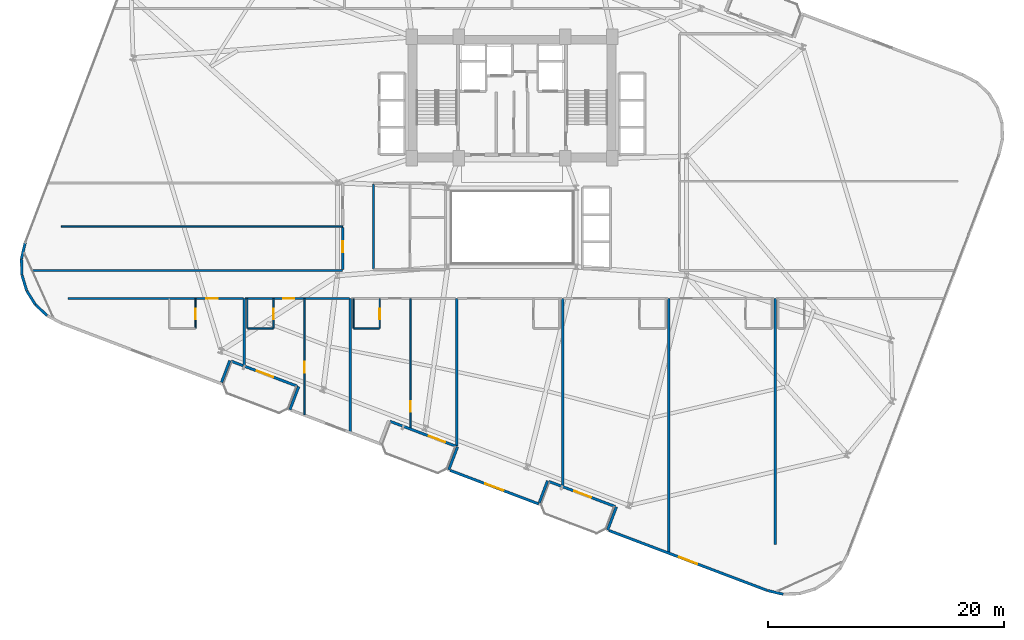
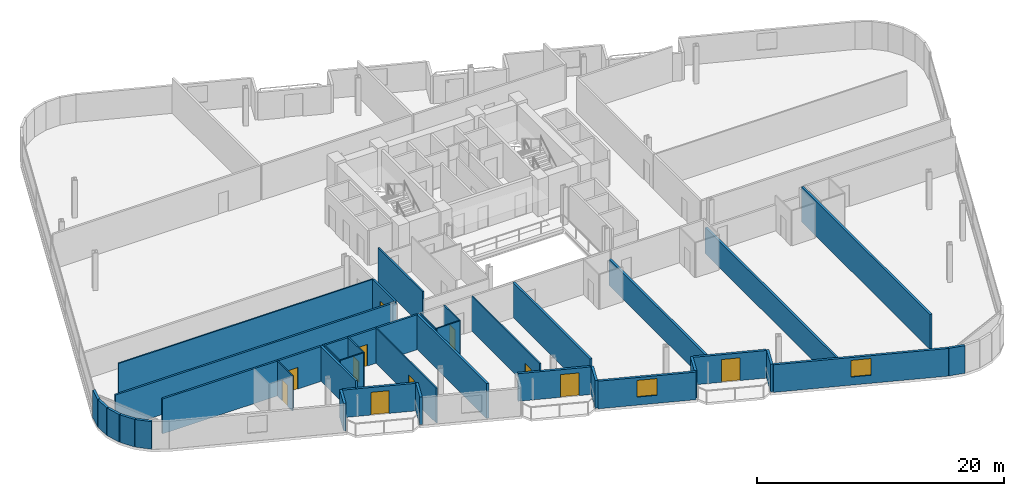
# One storey, part 18 of 25: 37 walls, 11 doors, 2 windows, 13 openings.
"""IFC4 building model written with IfcOpenShell, lengths in metres."""

from ifc_helpers import new_model, si_unit, direction, frame, frame_2d, origin, place, context, subcontext, project, spatial, rectangle, extrude, material, layer, layer_set, type_object, element, fill, save


model = new_model("IFC4")

# Units and contexts
model_context = context("Model", 3, precision=1e-05, world=origin(), true_north=direction((0.0, 1.0)))
body_context = subcontext(model_context, "Body", "Model", "MODEL_VIEW")
ifc_project = project(units=[si_unit("LENGTHUNIT", "METRE"), si_unit("AREAUNIT", "SQUARE_METRE"), si_unit("VOLUMEUNIT", "CUBIC_METRE"), si_unit("PLANEANGLEUNIT", "RADIAN"), si_unit("MASSUNIT", "GRAM", prefix="KILO")], contexts=[model_context])

# Site, building, storey
site_placement = place(None, origin())
site = spatial("IfcSite", under=ifc_project, at=site_placement, CompositionType="ELEMENT")
building_placement = place(site_placement, origin())
building = spatial("IfcBuilding", under=site, at=building_placement, Name="Varnelok Gate Tower", CompositionType="ELEMENT")
storey_placement = place(building_placement, frame((0.0, 0.0, 76.199951171875)))
storey = spatial("IfcBuildingStorey", under=building, at=storey_placement, Name="L18", CompositionType="ELEMENT", Elevation=76.199951171875)

# Wall, opening, door
ifc_material_1 = material(Name="Concrete C45/55", Category="concrete")
ifc_layer_1 = layer(ifc_material_1, 0.219970703125)
ifc_layer_set_1 = layer_set([ifc_layer_1], Name="Concrete C45/55")
wall_type_1 = type_object("IfcWallType", Name="EW-BALC-220", PredefinedType="SOLIDWALL", material=ifc_layer_set_1)
wall_1_placement = place(storey_placement, frame((21.00048828125, 9.42529296875, 0.0), z_axis=(0.0, 0.0, 1.0), x_axis=(-0.93521416643, 0.354082565101, 0.0)))
wall_1 = element("IfcWall", 1, at=wall_1_placement, inside=storey, type_object=wall_type_1, Name="L18 South Terrace Envelope Wall 1", PredefinedType="SOLIDWALL", context=body_context, shape_type="SweptSolid", body=[
    extrude(rectangle(XDim=6.0, YDim=0.219970703125, at=frame_2d((3.0, 0.0))), origin(), (0.0, 0.0, 1.0), 2.72998046875),
])
opening_1_placement = place(wall_1_placement, frame((2.176025390625, 0.0, 0.0)))
opening_1 = element("IfcOpeningElement", 2, at=opening_1_placement, cuts=wall_1, Name="Opening BD-1", PredefinedType="OPENING", context=body_context, shape_type="SweptSolid", body=[
    extrude(rectangle(XDim=1.5, YDim=2.25, at=frame_2d((0.75, 1.125))), frame((0.0, 0.119873046875, 0.0), z_axis=(0.0, -1.0, 0.0), x_axis=(1.0, 0.0, 0.0)), (0.0, 0.0, 1.0), 0.239990234375),
])
ifc_material_2 = material(Name="Anodized Aluminum Alloy 6063-T6", Category="aluminium")
door_type_1 = type_object("IfcDoorType", Name="DR-EXT-BALC1500", OperationType="NOTDEFINED", PredefinedType="DOOR", material=ifc_material_2)
door_1_placement = place(opening_1_placement, origin())
door_1 = element("IfcDoor", 3, at=door_1_placement, inside=storey, type_object=door_type_1, Name="L18 South Balcony Glazed Door 1", OperationType="SINGLE_SWING_RIGHT", OverallHeight=2.25, OverallWidth=1.5, PredefinedType="DOOR", context=body_context, shape_type="SweptSolid", body=[
    extrude(rectangle(XDim=1.5, YDim=2.25, at=frame_2d((0.75, 1.125))), frame((0.0, 0.02490234375, 0.0), z_axis=(0.0, -1.0, 0.0), x_axis=(1.0, 0.0, 0.0)), (0.0, 0.0, 1.0), 0.050048828125),
])
fill(opening_1, door_1)

wall_2_placement = place(storey_placement, frame((34.4677734375, 4.326904296875, 0.0), z_axis=(0.0, 0.0, 1.0), x_axis=(-0.9352192676, 0.354069091436, 0.0)))
wall_2 = element("IfcWall", 4, at=wall_2_placement, inside=storey, type_object=wall_type_1, Name="L18 South Terrace Envelope Wall 2", PredefinedType="SOLIDWALL", context=body_context, shape_type="SweptSolid", body=[
    extrude(rectangle(XDim=6.000244140625, YDim=0.219970703125, at=frame_2d((3.0, 0.0))), origin(), (0.0, 0.0, 1.0), 2.72998046875),
])
opening_2_placement = place(wall_2_placement, frame((0.991943359375, 0.0, 0.0)))
opening_2 = element("IfcOpeningElement", 5, at=opening_2_placement, cuts=wall_2, Name="Opening BD-1", PredefinedType="OPENING", context=body_context, shape_type="SweptSolid", body=[
    extrude(rectangle(XDim=1.5, YDim=2.25, at=frame_2d((0.75, 1.125))), frame((0.0, 0.119873046875, 0.0), z_axis=(0.0, -1.0, 0.0), x_axis=(1.0, 0.0, 0.0)), (0.0, 0.0, 1.0), 0.239990234375),
])
door_2_placement = place(opening_2_placement, origin())
door_2 = element("IfcDoor", 6, at=door_2_placement, inside=storey, type_object=door_type_1, Name="L18 South Balcony Glazed Door 2", OperationType="SINGLE_SWING_LEFT", OverallHeight=2.25, OverallWidth=1.5, PredefinedType="DOOR", context=body_context, shape_type="SweptSolid", body=[
    extrude(rectangle(XDim=1.5, YDim=2.25, at=frame_2d((0.75, 1.125))), frame((0.0, 0.02490234375, 0.0), z_axis=(0.0, -1.0, 0.0), x_axis=(1.0, 0.0, 0.0)), (0.0, 0.0, 1.0), 0.050048828125),
])
fill(opening_2, door_2)

wall_3_placement = place(storey_placement, frame((47.934814453125, -0.771484375, 0.0), z_axis=(0.0, 0.0, 1.0), x_axis=(-0.935227640088, 0.354046976001, 0.0)))
wall_3 = element("IfcWall", 7, at=wall_3_placement, inside=storey, type_object=wall_type_1, Name="L18 South Terrace Envelope Wall 3", PredefinedType="SOLIDWALL", context=body_context, shape_type="SweptSolid", body=[
    extrude(rectangle(XDim=6.0, YDim=0.219970703125, at=frame_2d((3.0, 0.0))), origin(), (0.0, 0.0, 1.0), 2.72998046875),
])
opening_3_placement = place(wall_3_placement, frame((2.176025390625, 0.0, 0.0)))
opening_3 = element("IfcOpeningElement", 8, at=opening_3_placement, cuts=wall_3, Name="Opening BD-1", PredefinedType="OPENING", context=body_context, shape_type="SweptSolid", body=[
    extrude(rectangle(XDim=1.5, YDim=2.25, at=frame_2d((0.75, 1.125))), frame((0.0, 0.119873046875, 0.0), z_axis=(0.0, -1.0, 0.0), x_axis=(1.0, 0.0, 0.0)), (0.0, 0.0, 1.0), 0.239990234375),
])
door_3_placement = place(opening_3_placement, origin())
door_3 = element("IfcDoor", 9, at=door_3_placement, inside=storey, type_object=door_type_1, Name="L18 South Balcony Glazed Door 3", OperationType="SINGLE_SWING_RIGHT", OverallHeight=2.25, OverallWidth=1.5, PredefinedType="DOOR", context=body_context, shape_type="SweptSolid", body=[
    extrude(rectangle(XDim=1.5, YDim=2.25, at=frame_2d((0.75, 1.125))), frame((0.0, 0.02490234375, 0.0), z_axis=(0.0, -1.0, 0.0), x_axis=(1.0, 0.0, 0.0)), (0.0, 0.0, 1.0), 0.050048828125),
])
fill(opening_3, door_3)

# Walls
wall_4_placement = place(storey_placement, frame((-2.072509765625, 21.571533203125, 0.0), z_axis=(0.0, 0.0, 1.0), x_axis=(-0.229049207401, -0.973414845063, 0.0)))
element("IfcWall", 10, at=wall_4_placement, inside=storey, type_object=wall_type_1, Name="L18 Perimeter Facade Closure Wall 1", PredefinedType="SOLIDWALL", context=body_context, shape_type="SweptSolid", body=[
    extrude(rectangle(XDim=1.378173828125, YDim=0.219970703125, at=frame_2d((0.68896484375, 0.0))), origin(), (0.0, 0.0, 1.0), 2.72998046875),
])
wall_5_placement = place(storey_placement, frame((-2.387451171875, 20.205078125, 0.0), z_axis=(0.0, 0.0, 1.0), x_axis=(0.030857297317, -0.999523800218, 0.0)))
element("IfcWall", 11, at=wall_5_placement, inside=storey, type_object=wall_type_1, Name="L18 Perimeter Facade Closure Wall 2", PredefinedType="SOLIDWALL", context=body_context, shape_type="SweptSolid", body=[
    extrude(rectangle(XDim=1.35302734375, YDim=0.219970703125, at=frame_2d((0.676513671875, 0.0))), origin(), (0.0, 0.0, 1.0), 2.72998046875),
])
wall_6_placement = place(storey_placement, frame((-2.33837890625, 18.82861328125, 0.0), z_axis=(0.0, 0.0, 1.0), x_axis=(0.288374187109, -0.957517795244, 0.0)))
element("IfcWall", 12, at=wall_6_placement, inside=storey, type_object=wall_type_1, Name="L18 Perimeter Facade Closure Wall 3", PredefinedType="SOLIDWALL", context=body_context, shape_type="SweptSolid", body=[
    extrude(rectangle(XDim=1.352783203125, YDim=0.219970703125, at=frame_2d((0.67626953125, 0.0))), origin(), (0.0, 0.0, 1.0), 2.72998046875),
])
wall_7_placement = place(storey_placement, frame((-1.93505859375, 17.511962890625, 0.0), z_axis=(0.0, 0.0, 1.0), x_axis=(0.526360826676, -0.850261301096, 0.0)))
element("IfcWall", 13, at=wall_7_placement, inside=storey, type_object=wall_type_1, Name="L18 Perimeter Facade Closure Wall 4", PredefinedType="SOLIDWALL", context=body_context, shape_type="SweptSolid", body=[
    extrude(rectangle(XDim=1.35302734375, YDim=0.219970703125, at=frame_2d((0.676513671875, 0.0))), origin(), (0.0, 0.0, 1.0), 2.72998046875),
])
wall_8_placement = place(storey_placement, frame((-1.20458984375, 16.344482421875, 0.0), z_axis=(0.0, 0.0, 1.0), x_axis=(0.7285124142, -0.685032599484, 0.0)))
element("IfcWall", 14, at=wall_8_placement, inside=storey, type_object=wall_type_1, Name="L18 Perimeter Facade Closure Wall 5", PredefinedType="SOLIDWALL", context=body_context, shape_type="SweptSolid", body=[
    extrude(rectangle(XDim=1.353271484375, YDim=0.219970703125, at=frame_2d((0.6767578125, 0.0))), origin(), (0.0, 0.0, 1.0), 2.72998046875),
])
wall_9_placement = place(storey_placement, frame((14.581298828125, 9.754638671875, 0.0), z_axis=(0.0, 0.0, 1.0), x_axis=(0.354061611705, 0.935222099352, 0.0)))
element("IfcWall", 15, at=wall_9_placement, inside=storey, type_object=wall_type_1, Name="L18 Perimeter Facade Closure Wall 8", PredefinedType="SOLIDWALL", context=body_context, shape_type="SweptSolid", body=[
    extrude(rectangle(XDim=1.974853515625, YDim=0.219970703125, at=frame_2d((0.9873046875, 0.0))), origin(), (0.0, 0.0, 1.0), 2.72998046875),
])
wall_10_placement = place(storey_placement, frame((21.1162109375, 9.392333984375, 0.0), z_axis=(0.0, 0.0, 1.0), x_axis=(-0.353988291547, -0.935249854022, 0.0)))
element("IfcWall", 16, at=wall_10_placement, inside=storey, type_object=wall_type_1, Name="L18 Perimeter Facade Closure Wall 9", PredefinedType="SOLIDWALL", context=body_context, shape_type="SweptSolid", body=[
    extrude(rectangle(XDim=2.10009765625, YDim=0.219970703125, at=frame_2d((1.050048828125, 0.0))), origin(), (0.0, 0.0, 1.0), 2.72998046875),
])
wall_11_placement = place(storey_placement, frame((34.58349609375, 4.293701171875, 0.0), z_axis=(0.0, 0.0, 1.0), x_axis=(-0.354128469405, -0.935196785258, 0.0)))
element("IfcWall", 17, at=wall_11_placement, inside=storey, type_object=wall_type_1, Name="L18 Perimeter Facade Closure Wall 12", PredefinedType="SOLIDWALL", context=body_context, shape_type="SweptSolid", body=[
    extrude(rectangle(XDim=2.099853515625, YDim=0.219970703125, at=frame_2d((1.0498046875, 0.0))), origin(), (0.0, 0.0, 1.0), 2.72998046875),
])

# Wall, opening, window
wall_12_placement = place(storey_placement, frame((33.956787109375, 2.28564453125, 0.0), z_axis=(0.0, 0.0, 1.0), x_axis=(0.935220736163, -0.354065212427, 0.0)))
wall_12 = element("IfcWall", 18, at=wall_12_placement, inside=storey, type_object=wall_type_1, Name="L18 Perimeter Facade Closure Wall 13", PredefinedType="SOLIDWALL", context=body_context, shape_type="SweptSolid", body=[
    extrude(rectangle(XDim=8.03515625, YDim=0.219970703125, at=frame_2d((4.017578125, 0.0))), origin(), (0.0, 0.0, 1.0), 2.72998046875),
])
opening_4_placement = place(wall_12_placement, frame((3.1923828125, 0.0, 0.800048828125)))
opening_4 = element("IfcOpeningElement", 19, at=opening_4_placement, cuts=wall_12, Name="Opening WN3", PredefinedType="OPENING", context=body_context, shape_type="SweptSolid", body=[
    extrude(rectangle(XDim=1.64990234375, YDim=1.64990234375, at=frame_2d((0.824951171875, 0.824951171875))), frame((0.0, 0.119873046875, 0.0), z_axis=(0.0, -1.0, 0.0), x_axis=(1.0, 0.0, 0.0)), (0.0, 0.0, 1.0), 0.239990234375),
])
ifc_material_3 = material(Name="Low-E Laminated Double Glazing IGU", Category="glass")
window_type = type_object("IfcWindowType", Name="WN-HTL-1650", PartitioningType="SINGLE_PANEL", PredefinedType="WINDOW", material=ifc_material_3)
window_1_placement = place(opening_4_placement, origin())
window_1 = element("IfcWindow", 20, at=window_1_placement, inside=storey, type_object=window_type, Name="L18 Perimeter Vision Window 13", OverallHeight=1.64990234375, OverallWidth=1.64990234375, PartitioningType="SINGLE_PANEL", PredefinedType="WINDOW", context=body_context, shape_type="SweptSolid", body=[
    extrude(rectangle(XDim=1.64990234375, YDim=1.64990234375, at=frame_2d((0.824951171875, 0.824951171875))), frame((0.0, 0.030029296875, 0.0), z_axis=(0.0, -1.0, 0.0), x_axis=(1.0, 0.0, 0.0)), (0.0, 0.0, 1.0), 0.06005859375),
])
fill(opening_4, window_1)

# Walls
wall_13_placement = place(storey_placement, frame((41.515625, -0.4423828125, 0.0), z_axis=(0.0, 0.0, 1.0), x_axis=(0.354061611705, 0.935222099352, 0.0)))
element("IfcWall", 21, at=wall_13_placement, inside=storey, type_object=wall_type_1, Name="L18 Perimeter Facade Closure Wall 14", PredefinedType="SOLIDWALL", context=body_context, shape_type="SweptSolid", body=[
    extrude(rectangle(XDim=1.974853515625, YDim=0.219970703125, at=frame_2d((0.9873046875, 0.0))), origin(), (0.0, 0.0, 1.0), 2.72998046875),
])
wall_14_placement = place(storey_placement, frame((48.050537109375, -0.8046875, 0.0), z_axis=(0.0, 0.0, 1.0), x_axis=(-0.353988291547, -0.935249854022, 0.0)))
element("IfcWall", 22, at=wall_14_placement, inside=storey, type_object=wall_type_1, Name="L18 Perimeter Facade Closure Wall 15", PredefinedType="SOLIDWALL", context=body_context, shape_type="SweptSolid", body=[
    extrude(rectangle(XDim=2.10009765625, YDim=0.219970703125, at=frame_2d((1.050048828125, 0.0))), origin(), (0.0, 0.0, 1.0), 2.72998046875),
])

# Wall, opening, window
wall_15_placement = place(storey_placement, frame((47.424072265625, -2.81298828125, 0.0), z_axis=(0.0, 0.0, 1.0), x_axis=(0.935225962032, -0.354051408614, 0.0)))
wall_15 = element("IfcWall", 23, at=wall_15_placement, inside=storey, type_object=wall_type_1, Name="L18 Perimeter Facade Closure Wall 16", PredefinedType="SOLIDWALL", context=body_context, shape_type="SweptSolid", body=[
    extrude(rectangle(XDim=14.346923828125, YDim=0.219970703125, at=frame_2d((7.17333984375, 0.0))), origin(), (0.0, 0.0, 1.0), 2.72998046875),
])
opening_5_placement = place(wall_15_placement, frame((6.348388671875, 0.0, 0.800048828125)))
opening_5 = element("IfcOpeningElement", 24, at=opening_5_placement, cuts=wall_15, Name="Opening WN3", PredefinedType="OPENING", context=body_context, shape_type="SweptSolid", body=[
    extrude(rectangle(XDim=1.64990234375, YDim=1.64990234375, at=frame_2d((0.824951171875, 0.824951171875))), frame((0.0, 0.119873046875, 0.0), z_axis=(0.0, -1.0, 0.0), x_axis=(1.0, 0.0, 0.0)), (0.0, 0.0, 1.0), 0.239990234375),
])
window_2_placement = place(opening_5_placement, origin())
window_2 = element("IfcWindow", 25, at=window_2_placement, inside=storey, type_object=window_type, Name="L18 Perimeter Vision Window 16", OverallHeight=1.64990234375, OverallWidth=1.64990234375, PartitioningType="SINGLE_PANEL", PredefinedType="WINDOW", context=body_context, shape_type="SweptSolid", body=[
    extrude(rectangle(XDim=1.64990234375, YDim=1.64990234375, at=frame_2d((0.824951171875, 0.824951171875))), frame((0.0, 0.030029296875, 0.0), z_axis=(0.0, -1.0, 0.0), x_axis=(1.0, 0.0, 0.0)), (0.0, 0.0, 1.0), 0.06005859375),
])
fill(opening_5, window_2)

# Wall
wall_16_placement = place(storey_placement, frame((60.8662109375, -7.8984375, 0.0), z_axis=(0.0, 0.0, 1.0), x_axis=(0.973405403345, -0.229089329169, 0.0)))
element("IfcWall", 26, at=wall_16_placement, inside=storey, type_object=wall_type_1, Name="L18 Perimeter Facade Closure Wall 17", PredefinedType="SOLIDWALL", context=body_context, shape_type="SweptSolid", body=[
    extrude(rectangle(XDim=1.36083984375, YDim=0.219970703125, at=frame_2d((0.680419921875, 0.0))), origin(), (0.0, 0.0, 1.0), 2.72998046875),
])

# Wall, opening, door
ifc_material_4 = material(Name="Gypsum Plasterboard Acoustic Partition", Category="gypsum")
ifc_layer_2 = layer(ifc_material_4, 0.179931640625)
ifc_layer_set_2 = layer_set([ifc_layer_2], Name="Gypsum Plasterboard Acoustic Partition")
wall_type_2 = type_object("IfcWallType", Name="PW-CORR-180", PredefinedType="PARTITIONING", material=ifc_layer_set_2)
wall_17_placement = place(storey_placement, frame((1.580078125, 16.85009765625, 0.0), z_axis=(0.0, 0.0, 1.0), x_axis=(1.0, 0.0, 0.0)))
wall_17 = element("IfcWall", 27, at=wall_17_placement, inside=storey, type_object=wall_type_2, Name="Interior Partition", PredefinedType="PARTITIONING", context=body_context, shape_type="SweptSolid", body=[
    extrude(rectangle(XDim=14.83984375, YDim=0.179931640625, at=frame_2d((7.419921875, 0.0))), origin(), (0.0, 0.0, 1.0), 3.449951171875),
])
opening_6_placement = place(wall_17_placement, frame((11.70458984375, 0.0, 0.0)))
opening_6 = element("IfcOpeningElement", 28, at=opening_6_placement, cuts=wall_17, Name="Opening D-HT", PredefinedType="OPENING", context=body_context, shape_type="SweptSolid", body=[
    extrude(rectangle(XDim=0.949951171875, YDim=2.14990234375, at=frame_2d((0.47509765625, 1.074951171875))), frame((0.0, 0.099853515625, 0.0), z_axis=(0.0, -1.0, 0.0), x_axis=(1.0, 0.0, 0.0)), (0.0, 0.0, 1.0), 0.199951171875),
])
ifc_material_5 = material(Name="Engineered Hardwood Timber", Category="wood")
door_type_2 = type_object("IfcDoorType", Name="DR-HTL-950", OperationType="NOTDEFINED", PredefinedType="DOOR", material=ifc_material_5)
door_4_placement = place(opening_6_placement, origin())
door_4 = element("IfcDoor", 29, at=door_4_placement, inside=storey, type_object=door_type_2, Name="L18 Guest Room 01 Entrance Door", OperationType="SINGLE_SWING_RIGHT", OverallHeight=2.14990234375, OverallWidth=0.949951171875, PredefinedType="DOOR", context=body_context, shape_type="SweptSolid", body=[
    extrude(rectangle(XDim=0.949951171875, YDim=2.14990234375, at=frame_2d((0.47509765625, 1.074951171875))), frame((0.0, 0.02490234375, 0.0), z_axis=(0.0, -1.0, 0.0), x_axis=(1.0, 0.0, 0.0)), (0.0, 0.0, 1.0), 0.050048828125),
])
fill(opening_6, door_4)

wall_18_placement = place(storey_placement, frame((16.580078125, 16.85009765625, 0.0), z_axis=(0.0, 0.0, 1.0), x_axis=(1.0, 0.0, 0.0)))
wall_18 = element("IfcWall", 30, at=wall_18_placement, inside=storey, type_object=wall_type_2, Name="Interior Partition", PredefinedType="PARTITIONING", context=body_context, shape_type="SweptSolid", body=[
    extrude(rectangle(XDim=8.83984375, YDim=0.179931640625, at=frame_2d((4.419921875, 0.0))), origin(), (0.0, 0.0, 1.0), 3.449951171875),
])
opening_7_placement = place(wall_18_placement, frame((3.22998046875, 0.0, 0.0)))
opening_7 = element("IfcOpeningElement", 31, at=opening_7_placement, cuts=wall_18, Name="Opening D-HT", PredefinedType="OPENING", context=body_context, shape_type="SweptSolid", body=[
    extrude(rectangle(XDim=0.949951171875, YDim=2.14990234375, at=frame_2d((0.47509765625, 1.074951171875))), frame((0.0, 0.099853515625, 0.0), z_axis=(0.0, -1.0, 0.0), x_axis=(1.0, 0.0, 0.0)), (0.0, 0.0, 1.0), 0.199951171875),
])
door_5_placement = place(opening_7_placement, origin())
door_5 = element("IfcDoor", 32, at=door_5_placement, inside=storey, type_object=door_type_2, Name="L18 Guest Room 02 Entrance Door", OperationType="SINGLE_SWING_LEFT", OverallHeight=2.14990234375, OverallWidth=0.949951171875, PredefinedType="DOOR", context=body_context, shape_type="SweptSolid", body=[
    extrude(rectangle(XDim=0.949951171875, YDim=2.14990234375, at=frame_2d((0.47509765625, 1.074951171875))), frame((0.0, 0.02490234375, 0.0), z_axis=(0.0, -1.0, 0.0), x_axis=(1.0, 0.0, 0.0)), (0.0, 0.0, 1.0), 0.050048828125),
])
fill(opening_7, door_5)

wall_19_placement = place(storey_placement, frame((24.85009765625, 19.300048828125, 0.0), z_axis=(0.0, 0.0, 1.0), x_axis=(0.0, 1.0, 0.0)))
wall_19 = element("IfcWall", 33, at=wall_19_placement, inside=storey, type_object=wall_type_2, Name="Interior Partition", PredefinedType="PARTITIONING", context=body_context, shape_type="SweptSolid", body=[
    extrude(rectangle(XDim=3.570068359375, YDim=0.179931640625, at=frame_2d((1.78515625, 0.0))), origin(), (0.0, 0.0, 1.0), 3.449951171875),
])
opening_8_placement = place(wall_19_placement, frame((1.49951171875, 0.0, 0.0)))
opening_8 = element("IfcOpeningElement", 34, at=opening_8_placement, cuts=wall_19, Name="Opening D-I3", PredefinedType="OPENING", context=body_context, shape_type="SweptSolid", body=[
    extrude(rectangle(XDim=0.919921875, YDim=2.050048828125, at=frame_2d((0.4599609375, 1.02490234375))), frame((0.0, 0.099853515625, 0.0), z_axis=(0.0, -1.0, 0.0), x_axis=(1.0, 0.0, 0.0)), (0.0, 0.0, 1.0), 0.199951171875),
])
door_type_3 = type_object("IfcDoorType", Name="DR-INT-920", OperationType="NOTDEFINED", PredefinedType="DOOR", material=ifc_material_5)
door_6_placement = place(opening_8_placement, origin())
door_6 = element("IfcDoor", 35, at=door_6_placement, inside=storey, type_object=door_type_3, Name="L18 West Wing Room 1 Door", OperationType="SINGLE_SWING_LEFT", OverallHeight=2.050048828125, OverallWidth=0.919921875, PredefinedType="DOOR", context=body_context, shape_type="SweptSolid", body=[
    extrude(rectangle(XDim=0.919921875, YDim=2.050048828125, at=frame_2d((0.4599609375, 1.02490234375))), frame((0.0, 0.02490234375, 0.0), z_axis=(0.0, -1.0, 0.0), x_axis=(1.0, 0.0, 0.0)), (0.0, 0.0, 1.0), 0.050048828125),
])
fill(opening_8, door_6)

# Wall
wall_20_placement = place(storey_placement, frame((-1.432373046875, 19.239990234375, 0.0), z_axis=(0.0, 0.0, 1.0), x_axis=(1.0, 0.0, 0.0)))
element("IfcWall", 36, at=wall_20_placement, inside=storey, type_object=wall_type_2, Name="Interior Partition", PredefinedType="PARTITIONING", context=body_context, shape_type="SweptSolid", body=[
    extrude(rectangle(XDim=26.282470703125, YDim=0.179931640625, at=frame_2d((13.14111328125, 0.0))), origin(), (0.0, 0.0, 1.0), 3.449951171875),
])

# Wall, opening, door
ifc_layer_3 = layer(ifc_material_4, 0.114990234375)
ifc_layer_set_3 = layer_set([ifc_layer_3], Name="Gypsum Plasterboard Acoustic Partition")
wall_type_3 = type_object("IfcWallType", Name="PW-ENS-125", PredefinedType="PARTITIONING", material=ifc_layer_set_3)
wall_21_placement = place(storey_placement, frame((12.3701171875, 14.330078125, 0.0), z_axis=(0.0, 0.0, 1.0), x_axis=(0.0, 1.0, 0.0)))
wall_21 = element("IfcWall", 37, at=wall_21_placement, inside=storey, type_object=wall_type_3, Name="Interior Partition", PredefinedType="PARTITIONING", context=body_context, shape_type="SweptSolid", body=[
    extrude(rectangle(XDim=2.52001953125, YDim=0.114990234375, at=frame_2d((1.260009765625, 0.0))), origin(), (0.0, 0.0, 1.0), 3.449951171875),
])
opening_9_placement = place(wall_21_placement, frame((0.760009765625, 0.0, 0.0)))
opening_9 = element("IfcOpeningElement", 38, at=opening_9_placement, cuts=wall_21, Name="Opening D-WC", PredefinedType="OPENING", context=body_context, shape_type="SweptSolid", body=[
    extrude(rectangle(XDim=0.89990234375, YDim=2.050048828125, at=frame_2d((0.449951171875, 1.02490234375))), frame((0.0, 0.0673828125, 0.0), z_axis=(0.0, -1.0, 0.0), x_axis=(1.0, 0.0, 0.0)), (0.0, 0.0, 1.0), 0.135009765625),
])
door_type_4 = type_object("IfcDoorType", Name="DR-BATH-900", OperationType="NOTDEFINED", PredefinedType="DOOR", material=ifc_material_5)
door_7_placement = place(opening_9_placement, origin())
door_7 = element("IfcDoor", 39, at=door_7_placement, inside=storey, type_object=door_type_4, Name="L18 Guest En-Suite 01 Door", OperationType="SINGLE_SWING_LEFT", OverallHeight=2.050048828125, OverallWidth=0.89990234375, PredefinedType="DOOR", context=body_context, shape_type="SweptSolid", body=[
    extrude(rectangle(XDim=0.89990234375, YDim=2.050048828125, at=frame_2d((0.449951171875, 1.02490234375))), frame((0.0, 0.02490234375, 0.0), z_axis=(0.0, -1.0, 0.0), x_axis=(1.0, 0.0, 0.0)), (0.0, 0.0, 1.0), 0.050048828125),
])
fill(opening_9, door_7)

# Wall
wall_22_placement = place(storey_placement, frame((16.800048828125, 14.330078125, 0.0), z_axis=(0.0, 0.0, 1.0), x_axis=(1.0, 0.0, 0.0)))
element("IfcWall", 40, at=wall_22_placement, inside=storey, type_object=wall_type_3, Name="Interior Partition", PredefinedType="PARTITIONING", context=body_context, shape_type="SweptSolid", body=[
    extrude(rectangle(XDim=2.14990234375, YDim=0.114990234375, at=frame_2d((1.074951171875, 0.0))), origin(), (0.0, 0.0, 1.0), 3.449951171875),
])

# Wall, opening, door
wall_23_placement = place(storey_placement, frame((18.989990234375, 14.330078125, 0.0), z_axis=(0.0, 0.0, 1.0), x_axis=(0.0, 1.0, 0.0)))
wall_23 = element("IfcWall", 41, at=wall_23_placement, inside=storey, type_object=wall_type_3, Name="Interior Partition", PredefinedType="PARTITIONING", context=body_context, shape_type="SweptSolid", body=[
    extrude(rectangle(XDim=2.52001953125, YDim=0.114990234375, at=frame_2d((1.260009765625, 0.0))), origin(), (0.0, 0.0, 1.0), 3.449951171875),
])
opening_10_placement = place(wall_23_placement, frame((0.760009765625, 0.0, 0.0)))
opening_10 = element("IfcOpeningElement", 42, at=opening_10_placement, cuts=wall_23, Name="Opening D-WC", PredefinedType="OPENING", context=body_context, shape_type="SweptSolid", body=[
    extrude(rectangle(XDim=0.89990234375, YDim=2.050048828125, at=frame_2d((0.449951171875, 1.02490234375))), frame((0.0, 0.0673828125, 0.0), z_axis=(0.0, -1.0, 0.0), x_axis=(1.0, 0.0, 0.0)), (0.0, 0.0, 1.0), 0.135009765625),
])
door_8_placement = place(opening_10_placement, origin())
door_8 = element("IfcDoor", 43, at=door_8_placement, inside=storey, type_object=door_type_4, Name="L18 Guest En-Suite 02 Door", OperationType="SINGLE_SWING_LEFT", OverallHeight=2.050048828125, OverallWidth=0.89990234375, PredefinedType="DOOR", context=body_context, shape_type="SweptSolid", body=[
    extrude(rectangle(XDim=0.89990234375, YDim=2.050048828125, at=frame_2d((0.449951171875, 1.02490234375))), frame((0.0, 0.02490234375, 0.0), z_axis=(0.0, -1.0, 0.0), x_axis=(1.0, 0.0, 0.0)), (0.0, 0.0, 1.0), 0.050048828125),
])
fill(opening_10, door_8)

# Walls
wall_24_placement = place(storey_placement, frame((16.760009765625, 14.330078125, 0.0), z_axis=(0.0, 0.0, 1.0), x_axis=(0.0, 1.0, 0.0)))
element("IfcWall", 44, at=wall_24_placement, inside=storey, type_object=wall_type_3, Name="Interior Partition", PredefinedType="PARTITIONING", context=body_context, shape_type="SweptSolid", body=[
    extrude(rectangle(XDim=2.52001953125, YDim=0.114990234375, at=frame_2d((1.260009765625, 0.0))), origin(), (0.0, 0.0, 1.0), 3.449951171875),
])
wall_25_placement = place(storey_placement, frame((25.800048828125, 14.330078125, 0.0), z_axis=(0.0, 0.0, 1.0), x_axis=(1.0, 0.0, 0.0)))
element("IfcWall", 45, at=wall_25_placement, inside=storey, type_object=wall_type_3, Name="Interior Partition", PredefinedType="PARTITIONING", context=body_context, shape_type="SweptSolid", body=[
    extrude(rectangle(XDim=2.14990234375, YDim=0.114990234375, at=frame_2d((1.074951171875, 0.0))), origin(), (0.0, 0.0, 1.0), 3.449951171875),
])

# Wall, opening, door
wall_26_placement = place(storey_placement, frame((27.989990234375, 14.330078125, 0.0), z_axis=(0.0, 0.0, 1.0), x_axis=(0.0, 1.0, 0.0)))
wall_26 = element("IfcWall", 46, at=wall_26_placement, inside=storey, type_object=wall_type_3, Name="Interior Partition", PredefinedType="PARTITIONING", context=body_context, shape_type="SweptSolid", body=[
    extrude(rectangle(XDim=2.52001953125, YDim=0.114990234375, at=frame_2d((1.260009765625, 0.0))), origin(), (0.0, 0.0, 1.0), 3.449951171875),
])
opening_11_placement = place(wall_26_placement, frame((0.760009765625, 0.0, 0.0)))
opening_11 = element("IfcOpeningElement", 47, at=opening_11_placement, cuts=wall_26, Name="Opening D-WC", PredefinedType="OPENING", context=body_context, shape_type="SweptSolid", body=[
    extrude(rectangle(XDim=0.89990234375, YDim=2.050048828125, at=frame_2d((0.449951171875, 1.02490234375))), frame((0.0, 0.0673828125, 0.0), z_axis=(0.0, -1.0, 0.0), x_axis=(1.0, 0.0, 0.0)), (0.0, 0.0, 1.0), 0.135009765625),
])
door_9_placement = place(opening_11_placement, origin())
door_9 = element("IfcDoor", 48, at=door_9_placement, inside=storey, type_object=door_type_4, Name="L18 Guest En-Suite 03 Door", OperationType="SINGLE_SWING_LEFT", OverallHeight=2.050048828125, OverallWidth=0.89990234375, PredefinedType="DOOR", context=body_context, shape_type="SweptSolid", body=[
    extrude(rectangle(XDim=0.89990234375, YDim=2.050048828125, at=frame_2d((0.449951171875, 1.02490234375))), frame((0.0, 0.02490234375, 0.0), z_axis=(0.0, -1.0, 0.0), x_axis=(1.0, 0.0, 0.0)), (0.0, 0.0, 1.0), 0.050048828125),
])
fill(opening_11, door_9)

# Wall
wall_27_placement = place(storey_placement, frame((25.760009765625, 14.330078125, 0.0), z_axis=(0.0, 0.0, 1.0), x_axis=(0.0, 1.0, 0.0)))
element("IfcWall", 49, at=wall_27_placement, inside=storey, type_object=wall_type_3, Name="Interior Partition", PredefinedType="PARTITIONING", context=body_context, shape_type="SweptSolid", body=[
    extrude(rectangle(XDim=2.52001953125, YDim=0.114990234375, at=frame_2d((1.260009765625, 0.0))), origin(), (0.0, 0.0, 1.0), 3.449951171875),
])

# Wall, opening, door
ifc_layer_4 = layer(ifc_material_4, 0.125)
ifc_layer_set_4 = layer_set([ifc_layer_4], Name="Gypsum Plasterboard Acoustic Partition")
wall_type_4 = type_object("IfcWallType", Name="PW-PART-125", PredefinedType="PARTITIONING", material=ifc_layer_set_4)
wall_28_placement = place(storey_placement, frame((21.60009765625, 6.985107421875, 0.0), z_axis=(0.0, 0.0, 1.0), x_axis=(0.0, 1.0, 0.0)))
wall_28 = element("IfcWall", 50, at=wall_28_placement, inside=storey, type_object=wall_type_4, Name="Interior Partition", PredefinedType="PARTITIONING", context=body_context, shape_type="SweptSolid", body=[
    extrude(rectangle(XDim=9.864990234375, YDim=0.125, at=frame_2d((4.9326171875, 0.0))), origin(), (0.0, 0.0, 1.0), 3.449951171875),
])
opening_12_placement = place(wall_28_placement, frame((3.578125, 0.0, 0.0)))
opening_12 = element("IfcOpeningElement", 51, at=opening_12_placement, cuts=wall_28, Name="Opening D-I3", PredefinedType="OPENING", context=body_context, shape_type="SweptSolid", body=[
    extrude(rectangle(XDim=0.919921875, YDim=2.050048828125, at=frame_2d((0.4599609375, 1.02490234375))), frame((0.0, 0.072509765625, 0.0), z_axis=(0.0, -1.0, 0.0), x_axis=(1.0, 0.0, 0.0)), (0.0, 0.0, 1.0), 0.14501953125),
])
door_10_placement = place(opening_12_placement, origin())
door_10 = element("IfcDoor", 52, at=door_10_placement, inside=storey, type_object=door_type_3, Name="L18 Suite Bedroom Door 2", OperationType="SINGLE_SWING_LEFT", OverallHeight=2.050048828125, OverallWidth=0.919921875, PredefinedType="DOOR", context=body_context, shape_type="SweptSolid", body=[
    extrude(rectangle(XDim=0.919921875, YDim=2.050048828125, at=frame_2d((0.4599609375, 1.02490234375))), frame((0.0, 0.02490234375, 0.0), z_axis=(0.0, -1.0, 0.0), x_axis=(1.0, 0.0, 0.0)), (0.0, 0.0, 1.0), 0.050048828125),
])
fill(opening_12, door_10)

wall_29_placement = place(storey_placement, frame((30.60009765625, 5.8232421875, 0.0), z_axis=(0.0, 0.0, 1.0), x_axis=(0.0, 1.0, 0.0)))
wall_29 = element("IfcWall", 53, at=wall_29_placement, inside=storey, type_object=wall_type_4, Name="Interior Partition", PredefinedType="PARTITIONING", context=body_context, shape_type="SweptSolid", body=[
    extrude(rectangle(XDim=11.02685546875, YDim=0.125, at=frame_2d((5.513427734375, 0.0))), origin(), (0.0, 0.0, 1.0), 3.449951171875),
])
opening_13_placement = place(wall_29_placement, frame((1.42041015625, 0.0, 0.0)))
opening_13 = element("IfcOpeningElement", 54, at=opening_13_placement, cuts=wall_29, Name="Opening D-I3", PredefinedType="OPENING", context=body_context, shape_type="SweptSolid", body=[
    extrude(rectangle(XDim=0.919921875, YDim=2.050048828125, at=frame_2d((0.4599609375, 1.02490234375))), frame((0.0, 0.072509765625, 0.0), z_axis=(0.0, -1.0, 0.0), x_axis=(1.0, 0.0, 0.0)), (0.0, 0.0, 1.0), 0.14501953125),
])
door_11_placement = place(opening_13_placement, origin())
door_11 = element("IfcDoor", 55, at=door_11_placement, inside=storey, type_object=door_type_3, Name="L18 Suite Bedroom Door 3", OperationType="SINGLE_SWING_LEFT", OverallHeight=2.050048828125, OverallWidth=0.919921875, PredefinedType="DOOR", context=body_context, shape_type="SweptSolid", body=[
    extrude(rectangle(XDim=0.919921875, YDim=2.050048828125, at=frame_2d((0.4599609375, 1.02490234375))), frame((0.0, 0.02490234375, 0.0), z_axis=(0.0, -1.0, 0.0), x_axis=(1.0, 0.0, 0.0)), (0.0, 0.0, 1.0), 0.050048828125),
])
fill(opening_13, door_11)

# Walls
wall_30_placement = place(storey_placement, frame((1.0, 22.949951171875, 0.0), z_axis=(0.0, 0.0, 1.0), x_axis=(1.0, 0.0, 0.0)))
element("IfcWall", 56, at=wall_30_placement, inside=storey, type_object=wall_type_4, Name="Interior Partition", PredefinedType="PARTITIONING", context=body_context, shape_type="SweptSolid", body=[
    extrude(rectangle(XDim=23.85009765625, YDim=0.125, at=frame_2d((11.925048828125, 0.0))), origin(), (0.0, 0.0, 1.0), 3.449951171875),
])
ifc_layer_5 = layer(ifc_material_4, 0.14990234375)
ifc_layer_set_5 = layer_set([ifc_layer_5], Name="Gypsum Plasterboard Acoustic Partition")
wall_type_5 = type_object("IfcWallType", Name="PW-PART-150", PredefinedType="PARTITIONING", material=ifc_layer_set_5)
wall_31_placement = place(storey_placement, frame((27.4599609375, 19.3798828125, 0.0), z_axis=(0.0, 0.0, 1.0), x_axis=(0.0, 1.0, 0.0)))
element("IfcWall", 57, at=wall_31_placement, inside=storey, type_object=wall_type_5, Name="Interior Partition", PredefinedType="PARTITIONING", context=body_context, shape_type="SweptSolid", body=[
    extrude(rectangle(XDim=7.16015625, YDim=0.14990234375, at=frame_2d((3.580078125, 0.0))), origin(), (0.0, 0.0, 1.0), 3.449951171875),
])
ifc_layer_6 = layer(ifc_material_4, 0.205078125)
ifc_layer_set_6 = layer_set([ifc_layer_6], Name="Gypsum Plasterboard Acoustic Partition")
wall_type_6 = type_object("IfcWallType", Name="PW-PARTY-200", PredefinedType="PARTITIONING", material=ifc_layer_set_6)
wall_32_placement = place(storey_placement, frame((16.5, 11.161376953125, 0.0), z_axis=(0.0, 0.0, 1.0), x_axis=(0.0, 1.0, 0.0)))
element("IfcWall", 58, at=wall_32_placement, inside=storey, type_object=wall_type_6, Name="L18 South Party Wall 1", PredefinedType="PARTITIONING", context=body_context, shape_type="SweptSolid", body=[
    extrude(rectangle(XDim=5.688720703125, YDim=0.205078125, at=frame_2d((2.84423828125, 0.0))), origin(), (0.0, 0.0, 1.0), 3.449951171875),
])
wall_33_placement = place(storey_placement, frame((25.5, 5.508544921875, 0.0), z_axis=(0.0, 0.0, 1.0), x_axis=(0.0, 1.0, 0.0)))
element("IfcWall", 59, at=wall_33_placement, inside=storey, type_object=wall_type_6, Name="L18 South Party Wall 2", PredefinedType="PARTITIONING", context=body_context, shape_type="SweptSolid", body=[
    extrude(rectangle(XDim=11.341552734375, YDim=0.205078125, at=frame_2d((5.6708984375, 0.0))), origin(), (0.0, 0.0, 1.0), 3.449951171875),
])
wall_34_placement = place(storey_placement, frame((34.5, 4.344482421875, 0.0), z_axis=(0.0, 0.0, 1.0), x_axis=(0.0, 1.0, 0.0)))
element("IfcWall", 60, at=wall_34_placement, inside=storey, type_object=wall_type_6, Name="L18 South Party Wall 3", PredefinedType="PARTITIONING", context=body_context, shape_type="SweptSolid", body=[
    extrude(rectangle(XDim=12.505615234375, YDim=0.205078125, at=frame_2d((6.2529296875, 0.0))), origin(), (0.0, 0.0, 1.0), 3.449951171875),
])
wall_35_placement = place(storey_placement, frame((43.5, 0.939453125, 0.0), z_axis=(0.0, 0.0, 1.0), x_axis=(0.0, 1.0, 0.0)))
element("IfcWall", 61, at=wall_35_placement, inside=storey, type_object=wall_type_6, Name="L18 South Party Wall 4", PredefinedType="PARTITIONING", context=body_context, shape_type="SweptSolid", body=[
    extrude(rectangle(XDim=15.91064453125, YDim=0.205078125, at=frame_2d((7.955322265625, 0.0))), origin(), (0.0, 0.0, 1.0), 2.580078125),
])
wall_36_placement = place(storey_placement, frame((52.5, -4.629638671875, 0.0), z_axis=(0.0, 0.0, 1.0), x_axis=(0.0, 1.0, 0.0)))
element("IfcWall", 62, at=wall_36_placement, inside=storey, type_object=wall_type_6, Name="L18 South Party Wall 5", PredefinedType="PARTITIONING", context=body_context, shape_type="SweptSolid", body=[
    extrude(rectangle(XDim=21.479736328125, YDim=0.205078125, at=frame_2d((10.73974609375, 0.0))), origin(), (0.0, 0.0, 1.0), 2.580078125),
])
wall_37_placement = place(storey_placement, frame((61.5, -4.0, 0.0), z_axis=(0.0, 0.0, 1.0), x_axis=(0.0, 1.0, 0.0)))
element("IfcWall", 63, at=wall_37_placement, inside=storey, type_object=wall_type_6, Name="L18 South Party Wall 6", PredefinedType="PARTITIONING", context=body_context, shape_type="SweptSolid", body=[
    extrude(rectangle(XDim=20.85009765625, YDim=0.205078125, at=frame_2d((10.425048828125, 0.0))), origin(), (0.0, 0.0, 1.0), 3.449951171875),
])

save(model, "model.ifc")
